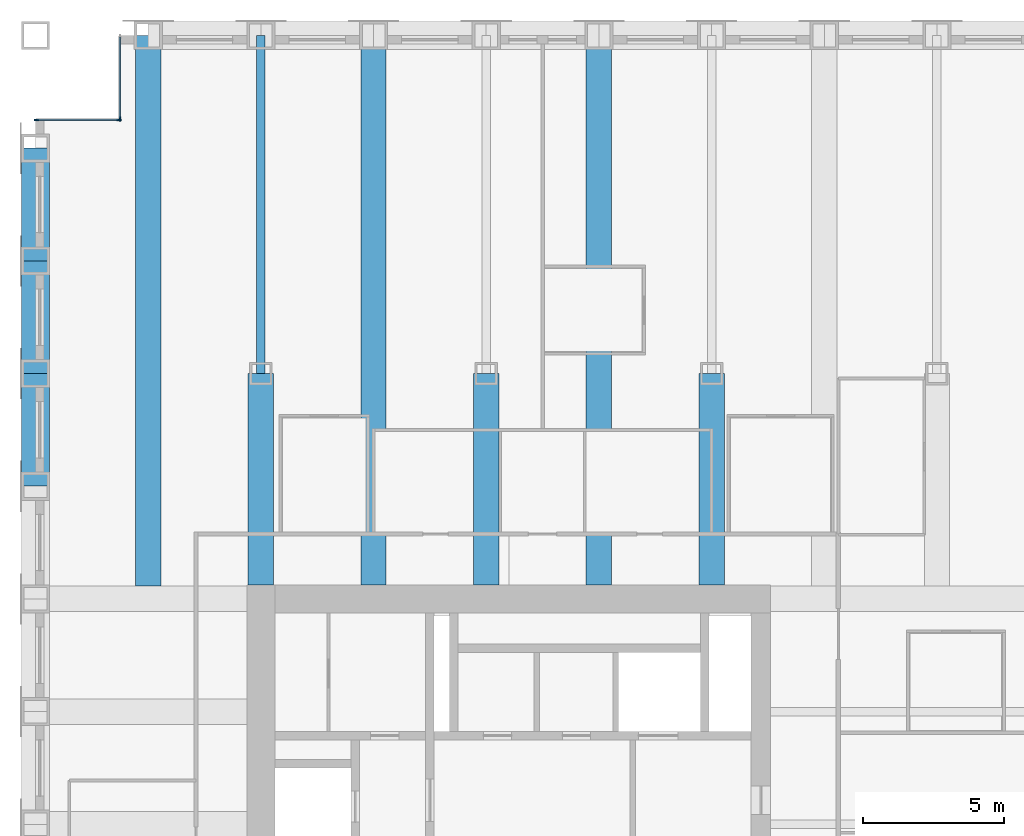
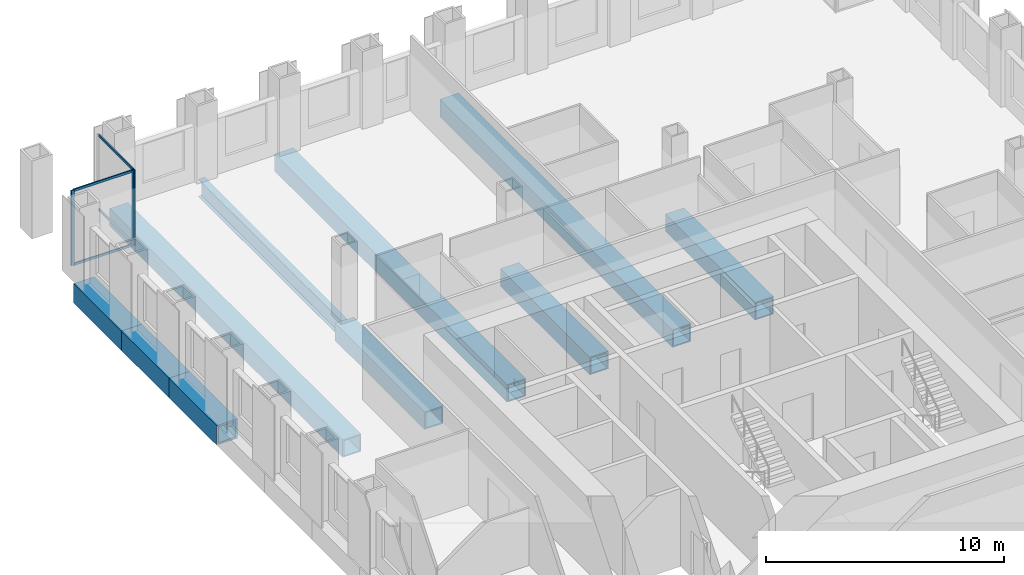
# One storey, part 5 of 14: 10 beams, 7 members, 2 elements without a shape of their own.
"""IFC4 building model written with IfcOpenShell, lengths in metres."""

from ifc_helpers import new_model, si_unit, direction, frame, origin, origin_2d, place, context, subcontext, project, spatial, rectangle, hollow_rectangle, i_section, extrude, material, material_profile, profile_set, type_object, element, aggregate, save


model = new_model("IFC4")

# Units and contexts
model_context = context("Model", 3, precision=1e-05, world=origin(), true_north=direction((0.0, 1.0)))
body_context = subcontext(model_context, "Body", "Model", "MODEL_VIEW")
ifc_project = project(units=[si_unit("LENGTHUNIT", "METRE"), si_unit("AREAUNIT", "SQUARE_METRE"), si_unit("VOLUMEUNIT", "CUBIC_METRE"), si_unit("PLANEANGLEUNIT", "RADIAN"), si_unit("MASSUNIT", "GRAM", prefix="KILO")], contexts=[model_context])

# Site, building, storey
site_placement = place(None, origin())
site = spatial("IfcSite", under=ifc_project, at=site_placement, CompositionType="ELEMENT")
building_placement = place(site_placement, origin())
building = spatial("IfcBuilding", under=site, at=building_placement, Name="Rimbunsela Tower", CompositionType="ELEMENT")
storey_placement = place(building_placement, frame((0.0, 0.0, 230.199951171875)))
storey = spatial("IfcBuildingStorey", under=building, at=storey_placement, Name="L55", CompositionType="ELEMENT", Elevation=230.199951171875)

# Beams
ifc_material_1 = material(Name="Steel BJ 55 (fy 410 MPa)", Category="steel")
ifc_material_profile_1 = material_profile(ifc_material_1, hollow_rectangle(XDim=1.0, YDim=1.0, WallThickness=0.10009765625, at=origin_2d()), Name="BOX 1000x1000x100")
ifc_profile_set_1 = profile_set([ifc_material_profile_1], Name="Steel BJ 55 (fy 410 MPa)")
beam_type_1 = type_object("IfcBeamType", Name="Beam BOX 1000x1000x100", PredefinedType="BEAM", material=ifc_profile_set_1)
for number, where, z_axis, x_axis, name in (
    (1, (10.0, 40.0, -0.64990234375), (0.0, 1.0, 0.0), (-1.0, 0.0, 0.0), "Beam B3 L55"),
    (2, (10.0, 44.0, -0.64990234375), (0.0, 1.0, 0.0), (-1.0, 0.0, 0.0), "Beam B3 L55"),
    (3, (10.0, 48.0, -0.64990234375), (0.0, 1.0, 0.0), (-1.0, 0.0, 0.0), "Beam B3 L55"),
):
    element("IfcBeam", number, at=place(storey_placement, frame(where, z_axis=z_axis, x_axis=x_axis)), inside=storey, type_object=beam_type_1, Name=name, PredefinedType="BEAM", context=body_context, shape_type="SweptSolid", body=[
        extrude(hollow_rectangle(XDim=1.0, YDim=1.0, WallThickness=0.10009765625, at=origin_2d()), origin(), (0.0, 0.0, 1.0), 4.0),
    ])
ifc_material_2 = material(Name="Steel BJ 55 (fy 410 MPa)", Category="steel")
ifc_material_profile_2 = material_profile(ifc_material_2, hollow_rectangle(XDim=0.89990234375, YDim=0.89990234375, WallThickness=0.06005859375, at=origin_2d()), Name="BOX 900x900x60")
ifc_profile_set_2 = profile_set([ifc_material_profile_2], Name="Steel BJ 55 (fy 410 MPa)")
beam_type_2 = type_object("IfcBeamType", Name="Beam BOX 900x900x60", PredefinedType="BEAM", material=ifc_profile_set_2)
beam_1_placement = place(storey_placement, frame((14.0, 36.449951171875, -0.599853515625), z_axis=(0.0, 1.0, 0.0), x_axis=(-1.0, 0.0, 0.0)))
element("IfcBeam", 4, at=beam_1_placement, inside=storey, type_object=beam_type_2, Name="Beam B1 L55", PredefinedType="BEAM", context=body_context, shape_type="SweptSolid", body=[
    extrude(hollow_rectangle(XDim=0.89990234375, YDim=0.89990234375, WallThickness=0.06005859375, at=origin_2d()), origin(), (0.0, 0.0, 1.0), 19.550048828125),
])
beam_2_placement = place(storey_placement, frame((18.0, 36.5, -0.599853515625), z_axis=(0.0, 1.0, 0.0), x_axis=(-1.0, 0.0, 0.0)))
element("IfcBeam", 5, at=beam_2_placement, inside=storey, type_object=beam_type_2, Name="Beam B1 L55", PredefinedType="BEAM", context=body_context, shape_type="SweptSolid", body=[
    extrude(hollow_rectangle(XDim=0.89990234375, YDim=0.89990234375, WallThickness=0.06005859375, at=origin_2d()), origin(), (0.0, 0.0, 1.0), 7.5),
])
beam_3_placement = place(storey_placement, frame((22.0, 36.5, -0.599853515625), z_axis=(0.0, 1.0, 0.0), x_axis=(-1.0, 0.0, 0.0)))
element("IfcBeam", 6, at=beam_3_placement, inside=storey, type_object=beam_type_2, Name="Beam B1 L55", PredefinedType="BEAM", context=body_context, shape_type="SweptSolid", body=[
    extrude(hollow_rectangle(XDim=0.89990234375, YDim=0.89990234375, WallThickness=0.06005859375, at=origin_2d()), origin(), (0.0, 0.0, 1.0), 19.5),
])
beam_4_placement = place(storey_placement, frame((26.0, 36.5, -0.599853515625), z_axis=(0.0, 1.0, 0.0), x_axis=(-1.0, 0.0, 0.0)))
element("IfcBeam", 7, at=beam_4_placement, inside=storey, type_object=beam_type_2, Name="Beam B1 L55", PredefinedType="BEAM", context=body_context, shape_type="SweptSolid", body=[
    extrude(hollow_rectangle(XDim=0.89990234375, YDim=0.89990234375, WallThickness=0.06005859375, at=origin_2d()), origin(), (0.0, 0.0, 1.0), 7.5),
])
beam_5_placement = place(storey_placement, frame((30.0, 36.5, -0.599853515625), z_axis=(0.0, 1.0, 0.0), x_axis=(-1.0, 0.0, 0.0)))
element("IfcBeam", 8, at=beam_5_placement, inside=storey, type_object=beam_type_2, Name="Beam B1 L55", PredefinedType="BEAM", context=body_context, shape_type="SweptSolid", body=[
    extrude(hollow_rectangle(XDim=0.89990234375, YDim=0.89990234375, WallThickness=0.06005859375, at=origin_2d()), origin(), (0.0, 0.0, 1.0), 19.5),
])
beam_6_placement = place(storey_placement, frame((34.0, 36.5, -0.599853515625), z_axis=(0.0, 1.0, 0.0), x_axis=(-1.0, 0.0, 0.0)))
element("IfcBeam", 9, at=beam_6_placement, inside=storey, type_object=beam_type_2, Name="Beam B1 L55", PredefinedType="BEAM", context=body_context, shape_type="SweptSolid", body=[
    extrude(hollow_rectangle(XDim=0.89990234375, YDim=0.89990234375, WallThickness=0.06005859375, at=origin_2d()), origin(), (0.0, 0.0, 1.0), 7.5),
])
ifc_material_3 = material(Name="Steel BJ 55 (fy 410 MPa)", Category="steel")
ifc_material_profile_3 = material_profile(ifc_material_3, i_section(OverallWidth=0.300048828125, OverallDepth=0.89990234375, WebThickness=0.01611328125, FlangeThickness=0.028076171875, FilletRadius=0.028076171875, at=origin_2d()), Name="H 900x300x16x28")
ifc_profile_set_3 = profile_set([ifc_material_profile_3], Name="Steel BJ 55 (fy 410 MPa)")
beam_type_3 = type_object("IfcBeamType", Name="Beam H 900x300x16x28", PredefinedType="BEAM", material=ifc_profile_set_3)
beam_7_placement = place(storey_placement, frame((18.0, 44.0, -0.599853515625), z_axis=(0.0, 1.0, 0.0), x_axis=(-1.0, 0.0, 0.0)))
element("IfcBeam", 10, at=beam_7_placement, inside=storey, type_object=beam_type_3, Name="Beam B2 L55", PredefinedType="BEAM", context=body_context, shape_type="SweptSolid", body=[
    extrude(i_section(OverallWidth=0.300048828125, OverallDepth=0.89990234375, WebThickness=0.01611328125, FlangeThickness=0.028076171875, FilletRadius=0.028076171875, at=origin_2d()), origin(), (0.0, 0.0, 1.0), 12.0),
])

# Curtain wall, member
ifc_material_4 = material(Name="Aluminium curtain wall", Category="aluminium")
curtain_wall_type = type_object("IfcCurtainWallType", Name="Corner glazing", PredefinedType="USERDEFINED", material=ifc_material_4)
curtain_wall_1_placement = place(storey_placement, origin())
curtain_wall_1 = element("IfcCurtainWall", 11, at=curtain_wall_1_placement, inside=storey, type_object=curtain_wall_type, Name="Corner glazing L55", ObjectType="CORNER GLAZING", PredefinedType="USERDEFINED")
ifc_material_5 = material(Name="Aluminium mullion", Category="aluminium")
ifc_material_profile_4 = material_profile(ifc_material_5, rectangle(XDim=0.06005859375, YDim=0.159912109375, at=origin_2d()), Name="Mullion 60x160")
ifc_profile_set_4 = profile_set([ifc_material_profile_4], Name="Aluminium mullion")
member_type_1 = type_object("IfcMemberType", Name="Curtain wall mullion 60x160", PredefinedType="MULLION", material=ifc_profile_set_4)
member_1_placement = place(storey_placement, frame((13.0, 53.030029296875, 0.0), z_axis=(0.0, 0.0, 1.0), x_axis=(1.0, 0.0, 0.0)))
member_1 = element("IfcMember", 12, at=member_1_placement, type_object=member_type_1, Name="CW5 mullion 2", PredefinedType="MULLION", context=body_context, shape_type="SweptSolid", body=[
    extrude(rectangle(XDim=0.06005859375, YDim=0.159912109375, at=origin_2d()), origin(), (0.0, 0.0, 1.0), 3.85009765625),
])

# Curtain wall, members
curtain_wall_2_placement = place(storey_placement, origin())
curtain_wall_2 = element("IfcCurtainWall", 13, at=curtain_wall_2_placement, inside=storey, type_object=curtain_wall_type, Name="Corner glazing L55", ObjectType="CORNER GLAZING", PredefinedType="USERDEFINED")
member_2_placement = place(storey_placement, frame((12.969970703125, 53.0, 0.0), z_axis=(0.0, 0.0, 1.0), x_axis=(0.0, -1.0, 0.0)))
member_2 = element("IfcMember", 14, at=member_2_placement, type_object=member_type_1, Name="CW5 mullion 1", PredefinedType="MULLION", context=body_context, shape_type="SweptSolid", body=[
    extrude(rectangle(XDim=0.06005859375, YDim=0.159912109375, at=origin_2d()), origin(), (0.0, 0.0, 1.0), 3.85009765625),
])
member_3_placement = place(storey_placement, frame((10.030029296875, 53.0, 0.0), z_axis=(0.0, 0.0, 1.0), x_axis=(0.0, -1.0, 0.0)))
member_3 = element("IfcMember", 15, at=member_3_placement, type_object=member_type_1, Name="CW5 mullion 2", PredefinedType="MULLION", context=body_context, shape_type="SweptSolid", body=[
    extrude(rectangle(XDim=0.06005859375, YDim=0.159912109375, at=origin_2d()), origin(), (0.0, 0.0, 1.0), 3.85009765625),
])

# Member
ifc_material_6 = material(Name="Aluminium transom", Category="aluminium")
ifc_material_profile_5 = material_profile(ifc_material_6, rectangle(XDim=0.06005859375, YDim=0.1201171875, at=origin_2d()), Name="Transom 60x120")
ifc_profile_set_5 = profile_set([ifc_material_profile_5], Name="Aluminium transom")
member_type_2 = type_object("IfcMemberType", Name="Curtain wall transom 60x120", PredefinedType="USERDEFINED", material=ifc_profile_set_5)
member_4_placement = place(storey_placement, frame((13.0, 55.93994140625, 0.030029296875), z_axis=(0.0, -1.0, 0.0), x_axis=(1.0, 0.0, 0.0)))
member_4 = element("IfcMember", 16, at=member_4_placement, type_object=member_type_2, Name="CW5 transom 1.1", ObjectType="TRANSOM", PredefinedType="USERDEFINED", context=body_context, shape_type="SweptSolid", body=[
    extrude(rectangle(XDim=0.06005859375, YDim=0.1201171875, at=origin_2d()), origin(), (0.0, 0.0, 1.0), 2.8798828125),
])

member_5_placement = place(storey_placement, frame((13.0, 55.93994140625, 3.820068359375), z_axis=(0.0, -1.0, 0.0), x_axis=(1.0, 0.0, 0.0)))
member_5 = element("IfcMember", 17, at=member_5_placement, type_object=member_type_2, Name="CW5 transom 1.2", ObjectType="TRANSOM", PredefinedType="USERDEFINED", context=body_context, shape_type="SweptSolid", body=[
    extrude(rectangle(XDim=0.06005859375, YDim=0.1201171875, at=origin_2d()), origin(), (0.0, 0.0, 1.0), 2.8798828125),
])

aggregate(curtain_wall_1, [member_1, member_4, member_5])

member_6_placement = place(storey_placement, frame((12.93994140625, 53.0, 0.030029296875), z_axis=(-1.0, 0.0, 0.0), x_axis=(0.0, -1.0, 0.0)))
member_6 = element("IfcMember", 18, at=member_6_placement, type_object=member_type_2, Name="CW5 transom 1.1", ObjectType="TRANSOM", PredefinedType="USERDEFINED", context=body_context, shape_type="SweptSolid", body=[
    extrude(rectangle(XDim=0.06005859375, YDim=0.1201171875, at=origin_2d()), origin(), (0.0, 0.0, 1.0), 2.8798828125),
])

member_7_placement = place(storey_placement, frame((12.93994140625, 53.0, 3.820068359375), z_axis=(-1.0, 0.0, 0.0), x_axis=(0.0, -1.0, 0.0)))
member_7 = element("IfcMember", 19, at=member_7_placement, type_object=member_type_2, Name="CW5 transom 1.2", ObjectType="TRANSOM", PredefinedType="USERDEFINED", context=body_context, shape_type="SweptSolid", body=[
    extrude(rectangle(XDim=0.06005859375, YDim=0.1201171875, at=origin_2d()), origin(), (0.0, 0.0, 1.0), 2.8798828125),
])

aggregate(curtain_wall_2, [member_2, member_3, member_6, member_7])

save(model, "model.ifc")
